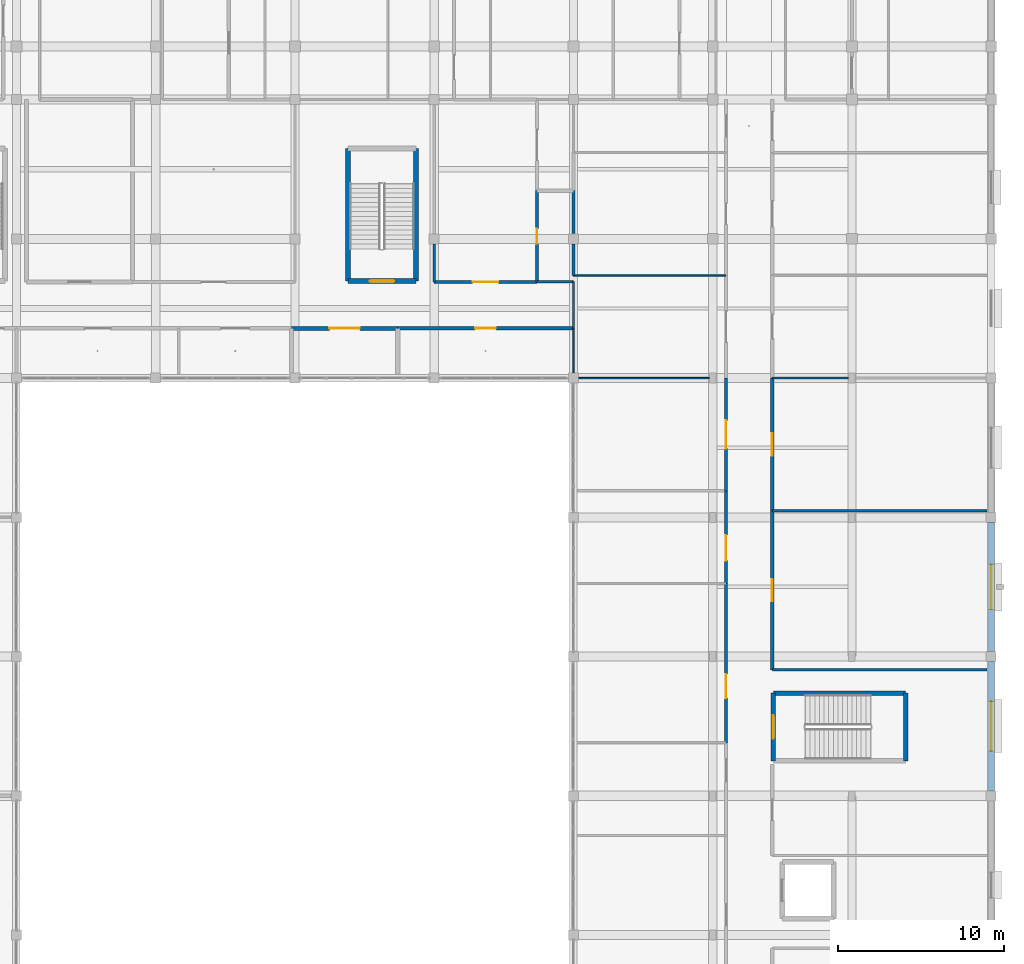
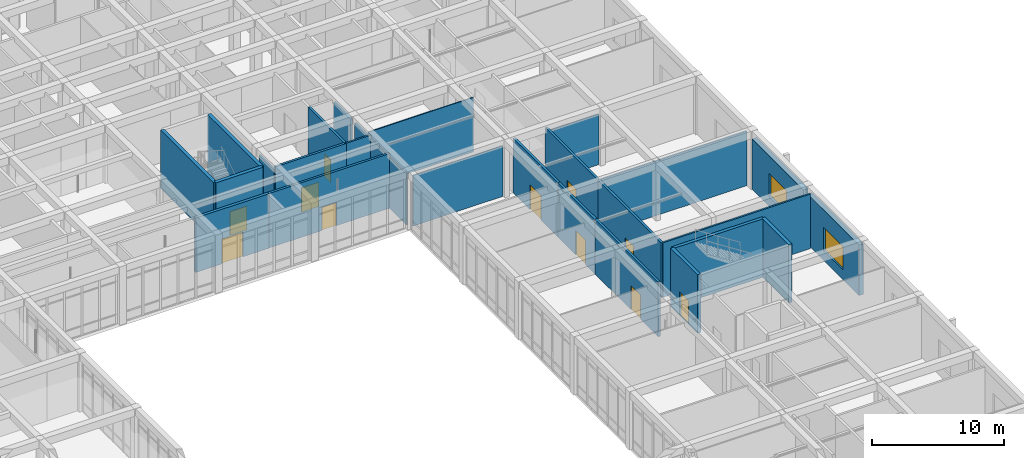
# One storey, part 92 of 157: 28 walls, 11 doors, 2 windows, 13 openings.
"""IFC4 building model written with IfcOpenShell, lengths in metres."""

from ifc_helpers import new_model, si_unit, direction, frame, frame_2d, origin, place, context, subcontext, project, spatial, rectangle, extrude, material, layer, layer_set, type_object, element, fill, save


model = new_model("IFC4")

# Units and contexts
model_context = context("Model", 3, precision=1e-05, world=origin(), true_north=direction((0.0, 1.0)))
body_context = subcontext(model_context, "Body", "Model", "MODEL_VIEW")
ifc_project = project(units=[si_unit("LENGTHUNIT", "METRE"), si_unit("AREAUNIT", "SQUARE_METRE"), si_unit("VOLUMEUNIT", "CUBIC_METRE"), si_unit("PLANEANGLEUNIT", "RADIAN"), si_unit("MASSUNIT", "GRAM", prefix="KILO")], contexts=[model_context])

# Site, building, storey
site_placement = place(None, origin())
site = spatial("IfcSite", under=ifc_project, at=site_placement, CompositionType="ELEMENT")
building_placement = place(site_placement, origin())
building = spatial("IfcBuilding", under=site, at=building_placement, Name="Varncliffe General Hospital", CompositionType="ELEMENT")
storey_placement = place(building_placement, frame((0.0, 0.0, 5.39990234375)))
storey = spatial("IfcBuildingStorey", under=building, at=storey_placement, Name="L01", CompositionType="ELEMENT", Elevation=5.39990234375)

# Wall, opening, window
ifc_material_1 = material(Name="Precast concrete C40/50 with insulated cream lime-cement stucco", Category="concrete")
ifc_layer_1 = layer(ifc_material_1, 0.3798828125)
ifc_layer_set_1 = layer_set([ifc_layer_1], Name="Precast concrete C40/50 with insulated cream lime-cement stucco")
wall_type_1 = type_object("IfcWallType", Name="Exterior Insulated Stucco Wall EW26 (380mm)", PredefinedType="SOLIDWALL", material=ifc_layer_set_1)
wall_1_placement = place(storey_placement, frame((176.39990234375, 65.701904296875, 0.0), z_axis=(0.0, 0.0, 1.0), x_axis=(0.0, -1.0, 0.0)))
wall_1 = element("IfcWall", 1, at=wall_1_placement, inside=storey, type_object=wall_type_1, Name="L01 Exterior Stucco Wall EW26-145", PredefinedType="SOLIDWALL", context=body_context, shape_type="SweptSolid", body=[
    extrude(rectangle(XDim=7.803955078125, YDim=0.3798828125, at=frame_2d((3.90185546875, 0.0))), origin(), (0.0, 0.0, 1.0), 4.68017578125),
])
opening_1_placement = place(wall_1_placement, frame((2.402099609375, 0.0, 0.89990234375)))
opening_1 = element("IfcOpeningElement", 2, at=opening_1_placement, cuts=wall_1, Name="Opening WN37", PredefinedType="OPENING", context=body_context, shape_type="SweptSolid", body=[
    extrude(rectangle(XDim=3.0, YDim=2.14990234375, at=frame_2d((1.5, 1.074951171875))), frame((0.0, 0.199951171875, 0.0), z_axis=(0.0, -1.0, 0.0), x_axis=(1.0, 0.0, 0.0)), (0.0, 0.0, 1.0), 0.39990234375),
])
ifc_material_2 = material(Name="Triple low-E argon insulated vision glazing", Category="glass")
window_type_1 = type_object("IfcWindowType", Name="Triple-Glazed Hospital Window WN37 (3000x2150)", PartitioningType="DOUBLE_PANEL_VERTICAL", PredefinedType="WINDOW", material=ifc_material_2)
window_1_placement = place(opening_1_placement, origin())
window_1 = element("IfcWindow", 3, at=window_1_placement, inside=storey, type_object=window_type_1, Name="L01 Hospital Window WN37-84", OverallHeight=2.14990234375, OverallWidth=3.0, PartitioningType="DOUBLE_PANEL_VERTICAL", PredefinedType="WINDOW", context=body_context, shape_type="SweptSolid", body=[
    extrude(rectangle(XDim=3.0, YDim=2.14990234375, at=frame_2d((1.5, 1.074951171875))), frame((0.0, 0.030029296875, 0.0), z_axis=(0.0, -1.0, 0.0), x_axis=(1.0, 0.0, 0.0)), (0.0, 0.0, 1.0), 0.06005859375),
])
fill(opening_1, window_1)

ifc_layer_2 = layer(ifc_material_1, 0.39990234375)
ifc_layer_set_2 = layer_set([ifc_layer_2], Name="Precast concrete C40/50 with insulated cream lime-cement stucco")
wall_type_2 = type_object("IfcWallType", Name="Exterior Insulated Stucco Wall EW47 (400mm)", PredefinedType="SOLIDWALL", material=ifc_layer_set_2)
wall_2_placement = place(storey_placement, frame((176.39990234375, 74.10205078125, 0.0), z_axis=(0.0, 0.0, 1.0), x_axis=(0.0, -1.0, 0.0)))
wall_2 = element("IfcWall", 4, at=wall_2_placement, inside=storey, type_object=wall_type_2, Name="L01 Exterior Stucco Wall EW47-144", PredefinedType="SOLIDWALL", context=body_context, shape_type="SweptSolid", body=[
    extrude(rectangle(XDim=7.803955078125, YDim=0.39990234375, at=frame_2d((3.90185546875, 0.0))), origin(), (0.0, 0.0, 1.0), 4.68017578125),
])
opening_2_placement = place(wall_2_placement, frame((2.552001953125, 0.0, 0.89990234375)))
opening_2 = element("IfcOpeningElement", 5, at=opening_2_placement, cuts=wall_2, Name="Opening WN58", PredefinedType="OPENING", context=body_context, shape_type="SweptSolid", body=[
    extrude(rectangle(XDim=2.699951171875, YDim=2.14990234375, at=frame_2d((1.35009765625, 1.074951171875))), frame((0.0, 0.2099609375, 0.0), z_axis=(0.0, -1.0, 0.0), x_axis=(1.0, 0.0, 0.0)), (0.0, 0.0, 1.0), 0.419921875),
])
window_type_2 = type_object("IfcWindowType", Name="Triple-Glazed Hospital Window WN58 (2700x2150)", PartitioningType="DOUBLE_PANEL_VERTICAL", PredefinedType="WINDOW", material=ifc_material_2)
window_2_placement = place(opening_2_placement, origin())
window_2 = element("IfcWindow", 6, at=window_2_placement, inside=storey, type_object=window_type_2, Name="L01 Hospital Window WN58-83", OverallHeight=2.14990234375, OverallWidth=2.699951171875, PartitioningType="DOUBLE_PANEL_VERTICAL", PredefinedType="WINDOW", context=body_context, shape_type="SweptSolid", body=[
    extrude(rectangle(XDim=2.699951171875, YDim=2.14990234375, at=frame_2d((1.35009765625, 1.074951171875))), frame((0.0, 0.030029296875, 0.0), z_axis=(0.0, -1.0, 0.0), x_axis=(1.0, 0.0, 0.0)), (0.0, 0.0, 1.0), 0.06005859375),
])
fill(opening_2, window_2)

# Walls
ifc_material_3 = material(Name="Acoustic clinical gypsum stud partition assembly", Category="gypsum")
ifc_layer_3 = layer(ifc_material_3, 0.1298828125)
ifc_layer_set_3 = layer_set([ifc_layer_3], Name="Acoustic clinical gypsum stud partition assembly")
wall_type_3 = type_object("IfcWallType", Name="Interior Partitioning IW11 (130mm)", PredefinedType="PARTITIONING", material=ifc_layer_set_3)
wall_3_placement = place(storey_placement, frame((163.199951171875, 74.800048828125, 0.0), z_axis=(0.0, 0.0, 1.0), x_axis=(1.0, 0.0, 0.0)))
element("IfcWall", 7, at=wall_3_placement, inside=storey, type_object=wall_type_3, Name="L01 Interior Partition Wall IW11-498", PredefinedType="PARTITIONING", context=body_context, shape_type="SweptSolid", body=[
    extrude(rectangle(XDim=12.93994140625, YDim=0.1298828125, at=frame_2d((6.469970703125, 0.0))), origin(), (0.0, 0.0, 1.0), 5.050048828125),
])
ifc_layer_4 = layer(ifc_material_3, 0.169921875)
ifc_layer_set_4 = layer_set([ifc_layer_4], Name="Acoustic clinical gypsum stud partition assembly")
wall_type_4 = type_object("IfcWallType", Name="Interior Partitioning IW20 (170mm)", PredefinedType="PARTITIONING", material=ifc_layer_set_4)
wall_4_placement = place(storey_placement, frame((142.800048828125, 88.60009765625, 0.0), z_axis=(0.0, 0.0, 1.0), x_axis=(0.0, 1.0, 0.0)))
element("IfcWall", 8, at=wall_4_placement, inside=storey, type_object=wall_type_4, Name="L01 Interior Partition Wall IW20-831", PredefinedType="PARTITIONING", context=body_context, shape_type="SweptSolid", body=[
    extrude(rectangle(XDim=2.284912109375, YDim=0.169921875, at=frame_2d((1.142578125, 0.0))), origin(), (0.0, 0.0, 1.0), 4.735107421875),
])
ifc_layer_5 = layer(ifc_material_3, 0.14990234375)
ifc_layer_set_5 = layer_set([ifc_layer_5], Name="Acoustic clinical gypsum stud partition assembly")
wall_type_5 = type_object("IfcWallType", Name="Interior Partitioning IW35 (150mm)", PredefinedType="PARTITIONING", material=ifc_layer_set_5)
wall_5_placement = place(storey_placement, frame((163.199951171875, 65.199951171875, 0.0), z_axis=(0.0, 0.0, 1.0), x_axis=(1.0, 0.0, 0.0)))
element("IfcWall", 9, at=wall_5_placement, inside=storey, type_object=wall_type_5, Name="L01 Interior Partition Wall IW35-479", PredefinedType="PARTITIONING", context=body_context, shape_type="SweptSolid", body=[
    extrude(rectangle(XDim=12.93994140625, YDim=0.14990234375, at=frame_2d((6.469970703125, 0.0))), origin(), (0.0, 0.0, 1.0), 5.050048828125),
])
ifc_layer_6 = layer(ifc_material_3, 0.090087890625)
ifc_layer_set_6 = layer_set([ifc_layer_6], Name="Acoustic clinical gypsum stud partition assembly")
wall_type_6 = type_object("IfcWallType", Name="Interior Partitioning IW42 (90mm)", PredefinedType="PARTITIONING", material=ifc_layer_set_6)
wall_6_placement = place(storey_placement, frame((151.514892578125, 82.800048828125, 0.0), z_axis=(0.0, 0.0, 1.0), x_axis=(1.0, 0.0, 0.0)))
element("IfcWall", 10, at=wall_6_placement, inside=storey, type_object=wall_type_6, Name="L01 Interior Partition Wall IW42-506", PredefinedType="PARTITIONING", context=body_context, shape_type="SweptSolid", body=[
    extrude(rectangle(XDim=7.8701171875, YDim=0.090087890625, at=frame_2d((3.93505859375, 0.0))), origin(), (0.0, 0.0, 1.0), 4.68505859375),
])
wall_7_placement = place(storey_placement, frame((151.199951171875, 89.0, 0.0), z_axis=(0.0, 0.0, 1.0), x_axis=(1.0, 0.0, 0.0)))
element("IfcWall", 11, at=wall_7_placement, inside=storey, type_object=wall_type_6, Name="L01 Interior Partition Wall IW42-541", PredefinedType="PARTITIONING", context=body_context, shape_type="SweptSolid", body=[
    extrude(rectangle(XDim=9.199951171875, YDim=0.090087890625, at=frame_2d((4.60009765625, 0.0))), origin(), (0.0, 0.0, 1.0), 5.050048828125),
])
wall_8_placement = place(storey_placement, frame((151.199951171875, 83.114990234375, 0.0), z_axis=(0.0, 0.0, 1.0), x_axis=(0.0, 1.0, 0.0)))
element("IfcWall", 12, at=wall_8_placement, inside=storey, type_object=wall_type_6, Name="L01 Interior Partition Wall IW42-846", PredefinedType="PARTITIONING", context=body_context, shape_type="SweptSolid", body=[
    extrude(rectangle(XDim=2.68505859375, YDim=0.090087890625, at=frame_2d((1.342529296875, 0.0))), origin(), (0.0, 0.0, 1.0), 4.735107421875),
])
ifc_layer_7 = layer(ifc_material_3, 0.110107421875)
ifc_layer_set_7 = layer_set([ifc_layer_7], Name="Acoustic clinical gypsum stud partition assembly")
wall_type_7 = type_object("IfcWallType", Name="Interior Partitioning IW65 (110mm)", PredefinedType="PARTITIONING", material=ifc_layer_set_7)
wall_9_placement = place(storey_placement, frame((163.199951171875, 82.800048828125, 0.0), z_axis=(0.0, 0.0, 1.0), x_axis=(1.0, 0.0, 0.0)))
element("IfcWall", 13, at=wall_9_placement, inside=storey, type_object=wall_type_7, Name="L01 Interior Partition Wall IW65-508", PredefinedType="PARTITIONING", context=body_context, shape_type="SweptSolid", body=[
    extrude(rectangle(XDim=4.5849609375, YDim=0.110107421875, at=frame_2d((2.29248046875, 0.0))), origin(), (0.0, 0.0, 1.0), 4.68505859375),
])
wall_10_placement = place(storey_placement, frame((151.199951171875, 85.800048828125, 0.0), z_axis=(0.0, 0.0, 1.0), x_axis=(0.0, 1.0, 0.0)))
element("IfcWall", 14, at=wall_10_placement, inside=storey, type_object=wall_type_7, Name="L01 Interior Partition Wall IW65-847", PredefinedType="PARTITIONING", context=body_context, shape_type="SweptSolid", body=[
    extrude(rectangle(XDim=2.800048828125, YDim=0.110107421875, at=frame_2d((1.39990234375, 0.0))), origin(), (0.0, 0.0, 1.0), 4.735107421875),
])

# Wall, opening, door
ifc_material_4 = material(Name="Fire-rated gypsum and mineral-wool partition assembly", Category="gypsum")
ifc_layer_8 = layer(ifc_material_4, 0.25)
ifc_layer_set_8 = layer_set([ifc_layer_8], Name="Fire-rated gypsum and mineral-wool partition assembly")
wall_type_8 = type_object("IfcWallType", Name="Interior Partitioning PW38 (250mm)", PredefinedType="PARTITIONING", material=ifc_layer_set_8)
wall_11_placement = place(storey_placement, frame((134.199951171875, 85.800048828125, 0.0), z_axis=(0.0, 0.0, 1.0), x_axis=(1.0, 0.0, 0.0)))
wall_11 = element("IfcWall", 15, at=wall_11_placement, inside=storey, type_object=wall_type_8, Name="L01 Interior Partition Wall PW38-525", PredefinedType="PARTITIONING", context=body_context, shape_type="SweptSolid", body=[
    extrude(rectangle(XDim=6.400146484375, YDim=0.25, at=frame_2d((3.2001953125, 0.0))), origin(), (0.0, 0.0, 1.0), 5.050048828125),
])
opening_3_placement = place(wall_11_placement, frame((2.27490234375, 0.0, 0.0)))
opening_3 = element("IfcOpeningElement", 16, at=opening_3_placement, cuts=wall_11, Name="Opening DC38", PredefinedType="OPENING", context=body_context, shape_type="SweptSolid", body=[
    extrude(rectangle(XDim=1.85009765625, YDim=2.300048828125, at=frame_2d((0.925048828125, 1.14990234375))), frame((0.0, 0.135009765625, 0.0), z_axis=(0.0, -1.0, 0.0), x_axis=(1.0, 0.0, 0.0)), (0.0, 0.0, 1.0), 0.27001953125),
])
ifc_material_5 = material(Name="Fire-rated hospital steel-frame vision-panel door", Category="steel")
door_type_1 = type_object("IfcDoorType", Name="Interior Hospital Door DC38 (1850x2300)", OperationType="NOTDEFINED", PredefinedType="DOOR", material=ifc_material_5)
door_1_placement = place(opening_3_placement, frame((1.85009765625, 0.0, 0.0), z_axis=(0.0, 0.0, 1.0), x_axis=(-1.0, 0.0, 0.0)))
door_1 = element("IfcDoor", 17, at=door_1_placement, inside=storey, type_object=door_type_1, Name="L01 Pharmacy Cold-Chain Stockroom 91 Door", OperationType="SINGLE_SWING_LEFT", OverallHeight=2.300048828125, OverallWidth=1.85009765625, PredefinedType="DOOR", context=body_context, shape_type="SweptSolid", body=[
    extrude(rectangle(XDim=1.85009765625, YDim=2.300048828125, at=frame_2d((0.925048828125, 1.14990234375))), frame((0.0, 0.02490234375, 0.0), z_axis=(0.0, -1.0, 0.0), x_axis=(1.0, 0.0, 0.0)), (0.0, 0.0, 1.0), 0.050048828125),
])
fill(opening_3, door_1)

ifc_layer_9 = layer(ifc_material_4, 0.199951171875)
ifc_layer_set_9 = layer_set([ifc_layer_9], Name="Fire-rated gypsum and mineral-wool partition assembly")
wall_type_9 = type_object("IfcWallType", Name="Interior Partitioning PW63 (200mm)", PredefinedType="PARTITIONING", material=ifc_layer_set_9)
wall_12_placement = place(storey_placement, frame((140.60009765625, 85.800048828125, 0.0), z_axis=(0.0, 0.0, 1.0), x_axis=(1.0, 0.0, 0.0)))
wall_12 = element("IfcWall", 18, at=wall_12_placement, inside=storey, type_object=wall_type_9, Name="L01 Interior Partition Wall PW63-526", PredefinedType="PARTITIONING", context=body_context, shape_type="SweptSolid", body=[
    extrude(rectangle(XDim=10.599853515625, YDim=0.199951171875, at=frame_2d((5.2998046875, 0.0))), origin(), (0.0, 0.0, 1.0), 5.050048828125),
])
opening_4_placement = place(wall_12_placement, frame((4.675048828125, 0.0, 0.0)))
opening_4 = element("IfcOpeningElement", 19, at=opening_4_placement, cuts=wall_12, Name="Opening DC44", PredefinedType="OPENING", context=body_context, shape_type="SweptSolid", body=[
    extrude(rectangle(XDim=1.25, YDim=2.14990234375, at=frame_2d((0.625, 1.074951171875))), frame((0.0, 0.10986328125, 0.0), z_axis=(0.0, -1.0, 0.0), x_axis=(1.0, 0.0, 0.0)), (0.0, 0.0, 1.0), 0.219970703125),
])
door_type_2 = type_object("IfcDoorType", Name="Interior Hospital Door DC44 (1250x2150)", OperationType="NOTDEFINED", PredefinedType="DOOR", material=ifc_material_5)
door_2_placement = place(opening_4_placement, frame((1.25, 0.0, 0.0), z_axis=(0.0, 0.0, 1.0), x_axis=(-1.0, 0.0, 0.0)))
door_2 = element("IfcDoor", 20, at=door_2_placement, inside=storey, type_object=door_type_2, Name="L01 Inpatient Hospital Pharmacy Cleanroom 92 Door", OperationType="SINGLE_SWING_RIGHT", OverallHeight=2.14990234375, OverallWidth=1.25, PredefinedType="DOOR", context=body_context, shape_type="SweptSolid", body=[
    extrude(rectangle(XDim=1.25, YDim=2.14990234375, at=frame_2d((0.625, 1.074951171875))), frame((0.0, 0.02490234375, 0.0), z_axis=(0.0, -1.0, 0.0), x_axis=(1.0, 0.0, 0.0)), (0.0, 0.0, 1.0), 0.050048828125),
])
fill(opening_4, door_2)

wall_13_placement = place(storey_placement, frame((142.800048828125, 88.60009765625, 0.0), z_axis=(0.0, 0.0, 1.0), x_axis=(1.0, 0.0, 0.0)))
wall_13 = element("IfcWall", 21, at=wall_13_placement, inside=storey, type_object=wall_type_9, Name="L01 Interior Partition Wall PW63-538", PredefinedType="PARTITIONING", context=body_context, shape_type="SweptSolid", body=[
    extrude(rectangle(XDim=6.199951171875, YDim=0.199951171875, at=frame_2d((3.10009765625, 0.0))), origin(), (0.0, 0.0, 1.0), 5.050048828125),
])
opening_5_placement = place(wall_13_placement, frame((2.324951171875, 0.0, 0.0)))
opening_5 = element("IfcOpeningElement", 22, at=opening_5_placement, cuts=wall_13, Name="Opening DC67", PredefinedType="OPENING", context=body_context, shape_type="SweptSolid", body=[
    extrude(rectangle(XDim=1.550048828125, YDim=2.25, at=frame_2d((0.77490234375, 1.125))), frame((0.0, 0.10986328125, 0.0), z_axis=(0.0, -1.0, 0.0), x_axis=(1.0, 0.0, 0.0)), (0.0, 0.0, 1.0), 0.219970703125),
])
door_type_3 = type_object("IfcDoorType", Name="Interior Hospital Door DC67 (1550x2250)", OperationType="NOTDEFINED", PredefinedType="DOOR", material=ifc_material_5)
door_3_placement = place(opening_5_placement, origin())
door_3 = element("IfcDoor", 23, at=door_3_placement, inside=storey, type_object=door_type_3, Name="L01 Pre-Operative Patient Admission Bay 101 Door", OperationType="SINGLE_SWING_LEFT", OverallHeight=2.25, OverallWidth=1.550048828125, PredefinedType="DOOR", context=body_context, shape_type="SweptSolid", body=[
    extrude(rectangle(XDim=1.550048828125, YDim=2.25, at=frame_2d((0.77490234375, 1.125))), frame((0.0, 0.02490234375, 0.0), z_axis=(0.0, -1.0, 0.0), x_axis=(1.0, 0.0, 0.0)), (0.0, 0.0, 1.0), 0.050048828125),
])
fill(opening_5, door_3)

wall_14_placement = place(storey_placement, frame((149.0, 88.60009765625, 0.0), z_axis=(0.0, 0.0, 1.0), x_axis=(0.0, 1.0, 0.0)))
wall_14 = element("IfcWall", 24, at=wall_14_placement, inside=storey, type_object=wall_type_9, Name="L01 Interior Partition Wall PW63-839", PredefinedType="PARTITIONING", context=body_context, shape_type="SweptSolid", body=[
    extrude(rectangle(XDim=5.5, YDim=0.199951171875, at=frame_2d((2.75, 0.0))), origin(), (0.0, 0.0, 1.0), 5.050048828125),
])
opening_6_placement = place(wall_14_placement, frame((2.2900390625, 0.0, 0.0)))
opening_6 = element("IfcOpeningElement", 25, at=opening_6_placement, cuts=wall_14, Name="Opening DI70", PredefinedType="OPENING", context=body_context, shape_type="SweptSolid", body=[
    extrude(rectangle(XDim=0.919921875, YDim=2.10009765625, at=frame_2d((0.4599609375, 1.050048828125))), frame((0.0, 0.10986328125, 0.0), z_axis=(0.0, -1.0, 0.0), x_axis=(1.0, 0.0, 0.0)), (0.0, 0.0, 1.0), 0.219970703125),
])
ifc_material_6 = material(Name="Solid-core antimicrobial hospital oak veneer door", Category="wood")
door_type_4 = type_object("IfcDoorType", Name="Interior Hospital Door DI70 (920x2100)", OperationType="NOTDEFINED", PredefinedType="DOOR", material=ifc_material_6)
door_4_placement = place(opening_6_placement, frame((0.919921875, 0.0, 0.0), z_axis=(0.0, 0.0, 1.0), x_axis=(-1.0, 0.0, 0.0)))
door_4 = element("IfcDoor", 26, at=door_4_placement, inside=storey, type_object=door_type_4, Name="L01 En-Suite Bathroom 102 Door", OperationType="SINGLE_SWING_RIGHT", OverallHeight=2.10009765625, OverallWidth=0.919921875, PredefinedType="DOOR", context=body_context, shape_type="SweptSolid", body=[
    extrude(rectangle(XDim=0.919921875, YDim=2.10009765625, at=frame_2d((0.4599609375, 1.050048828125))), frame((0.0, 0.02490234375, 0.0), z_axis=(0.0, -1.0, 0.0), x_axis=(1.0, 0.0, 0.0)), (0.0, 0.0, 1.0), 0.050048828125),
])
fill(opening_6, door_4)

wall_15_placement = place(storey_placement, frame((160.39990234375, 60.800048828125, 0.0), z_axis=(0.0, 0.0, 1.0), x_axis=(0.0, 1.0, 0.0)))
wall_15 = element("IfcWall", 27, at=wall_15_placement, inside=storey, type_object=wall_type_9, Name="L01 Interior Partition Wall PW63-869", PredefinedType="PARTITIONING", context=body_context, shape_type="SweptSolid", body=[
    extrude(rectangle(XDim=9.599853515625, YDim=0.199951171875, at=frame_2d((4.7998046875, 0.0))), origin(), (0.0, 0.0, 1.0), 5.050048828125),
])
opening_7_placement = place(wall_15_placement, frame((2.6943359375, 0.0, 0.0)))
opening_7 = element("IfcOpeningElement", 28, at=opening_7_placement, cuts=wall_15, Name="Opening DC66", PredefinedType="OPENING", context=body_context, shape_type="SweptSolid", body=[
    extrude(rectangle(XDim=1.449951171875, YDim=2.25, at=frame_2d((0.72509765625, 1.125))), frame((0.0, 0.10986328125, 0.0), z_axis=(0.0, -1.0, 0.0), x_axis=(1.0, 0.0, 0.0)), (0.0, 0.0, 1.0), 0.219970703125),
])
door_type_5 = type_object("IfcDoorType", Name="Interior Hospital Door DC66 (1450x2250)", OperationType="NOTDEFINED", PredefinedType="DOOR", material=ifc_material_5)
door_5_placement = place(opening_7_placement, origin())
door_5 = element("IfcDoor", 29, at=door_5_placement, inside=storey, type_object=door_type_5, Name="L01 Hydrotherapy and Occupational Rehab Suite 112 Door", OperationType="SINGLE_SWING_RIGHT", OverallHeight=2.25, OverallWidth=1.449951171875, PredefinedType="DOOR", context=body_context, shape_type="SweptSolid", body=[
    extrude(rectangle(XDim=1.449951171875, YDim=2.25, at=frame_2d((0.72509765625, 1.125))), frame((0.0, 0.02490234375, 0.0), z_axis=(0.0, -1.0, 0.0), x_axis=(1.0, 0.0, 0.0)), (0.0, 0.0, 1.0), 0.050048828125),
])
fill(opening_7, door_5)

wall_16_placement = place(storey_placement, frame((160.39990234375, 70.39990234375, 0.0), z_axis=(0.0, 0.0, 1.0), x_axis=(0.0, 1.0, 0.0)))
wall_16 = element("IfcWall", 30, at=wall_16_placement, inside=storey, type_object=wall_type_9, Name="L01 Interior Partition Wall PW63-870", PredefinedType="PARTITIONING", context=body_context, shape_type="SweptSolid", body=[
    extrude(rectangle(XDim=5.60009765625, YDim=0.199951171875, at=frame_2d((2.800048828125, 0.0))), origin(), (0.0, 0.0, 1.0), 5.050048828125),
])
opening_8_placement = place(wall_16_placement, frame((1.38232421875, 0.0, 0.0)))
opening_8 = element("IfcOpeningElement", 31, at=opening_8_placement, cuts=wall_16, Name="Opening DC67", PredefinedType="OPENING", context=body_context, shape_type="SweptSolid", body=[
    extrude(rectangle(XDim=1.550048828125, YDim=2.25, at=frame_2d((0.77490234375, 1.125))), frame((0.0, 0.10986328125, 0.0), z_axis=(0.0, -1.0, 0.0), x_axis=(1.0, 0.0, 0.0)), (0.0, 0.0, 1.0), 0.219970703125),
])
door_6_placement = place(opening_8_placement, origin())
door_6 = element("IfcDoor", 32, at=door_6_placement, inside=storey, type_object=door_type_3, Name="L01 Specialist ENT and Ophthalmology Clinic 113 Door", OperationType="SINGLE_SWING_LEFT", OverallHeight=2.25, OverallWidth=1.550048828125, PredefinedType="DOOR", context=body_context, shape_type="SweptSolid", body=[
    extrude(rectangle(XDim=1.550048828125, YDim=2.25, at=frame_2d((0.77490234375, 1.125))), frame((0.0, 0.02490234375, 0.0), z_axis=(0.0, -1.0, 0.0), x_axis=(1.0, 0.0, 0.0)), (0.0, 0.0, 1.0), 0.050048828125),
])
fill(opening_8, door_6)

wall_17_placement = place(storey_placement, frame((160.39990234375, 76.0, 0.0), z_axis=(0.0, 0.0, 1.0), x_axis=(0.0, 1.0, 0.0)))
wall_17 = element("IfcWall", 33, at=wall_17_placement, inside=storey, type_object=wall_type_9, Name="L01 Interior Partition Wall PW63-871", PredefinedType="PARTITIONING", context=body_context, shape_type="SweptSolid", body=[
    extrude(rectangle(XDim=6.800048828125, YDim=0.199951171875, at=frame_2d((3.39990234375, 0.0))), origin(), (0.0, 0.0, 1.0), 5.050048828125),
])
opening_9_placement = place(wall_17_placement, frame((2.550048828125, 0.0, 0.0)))
opening_9 = element("IfcOpeningElement", 34, at=opening_9_placement, cuts=wall_17, Name="Opening DC50", PredefinedType="OPENING", context=body_context, shape_type="SweptSolid", body=[
    extrude(rectangle(XDim=1.699951171875, YDim=2.300048828125, at=frame_2d((0.85009765625, 1.14990234375))), frame((0.0, 0.10986328125, 0.0), z_axis=(0.0, -1.0, 0.0), x_axis=(1.0, 0.0, 0.0)), (0.0, 0.0, 1.0), 0.219970703125),
])
door_type_6 = type_object("IfcDoorType", Name="Interior Hospital Door DC50 (1700x2300)", OperationType="NOTDEFINED", PredefinedType="DOOR", material=ifc_material_5)
door_7_placement = place(opening_9_placement, origin())
door_7 = element("IfcDoor", 35, at=door_7_placement, inside=storey, type_object=door_type_6, Name="L01 Hydrotherapy and Occupational Rehab Suite 114 Door", OperationType="SINGLE_SWING_RIGHT", OverallHeight=2.300048828125, OverallWidth=1.699951171875, PredefinedType="DOOR", context=body_context, shape_type="SweptSolid", body=[
    extrude(rectangle(XDim=1.699951171875, YDim=2.300048828125, at=frame_2d((0.85009765625, 1.14990234375))), frame((0.0, 0.02490234375, 0.0), z_axis=(0.0, -1.0, 0.0), x_axis=(1.0, 0.0, 0.0)), (0.0, 0.0, 1.0), 0.050048828125),
])
fill(opening_9, door_7)

wall_18_placement = place(storey_placement, frame((163.199951171875, 65.199951171875, 0.0), z_axis=(0.0, 0.0, 1.0), x_axis=(0.0, 1.0, 0.0)))
wall_18 = element("IfcWall", 36, at=wall_18_placement, inside=storey, type_object=wall_type_9, Name="L01 Interior Partition Wall PW63-881", PredefinedType="PARTITIONING", context=body_context, shape_type="SweptSolid", body=[
    extrude(rectangle(XDim=9.60009765625, YDim=0.199951171875, at=frame_2d((4.800048828125, 0.0))), origin(), (0.0, 0.0, 1.0), 5.050048828125),
])
opening_10_placement = place(wall_18_placement, frame((4.14990234375, 0.0, 0.0)))
opening_10 = element("IfcOpeningElement", 37, at=opening_10_placement, cuts=wall_18, Name="Opening DC88", PredefinedType="OPENING", context=body_context, shape_type="SweptSolid", body=[
    extrude(rectangle(XDim=1.300048828125, YDim=2.199951171875, at=frame_2d((0.64990234375, 1.10009765625))), frame((0.0, 0.10986328125, 0.0), z_axis=(0.0, -1.0, 0.0), x_axis=(1.0, 0.0, 0.0)), (0.0, 0.0, 1.0), 0.219970703125),
])
door_type_7 = type_object("IfcDoorType", Name="Interior Hospital Door DC88 (1300x2200)", OperationType="NOTDEFINED", PredefinedType="DOOR", material=ifc_material_5)
door_8_placement = place(opening_10_placement, frame((1.300048828125, 0.0, 0.0), z_axis=(0.0, 0.0, 1.0), x_axis=(-1.0, 0.0, 0.0)))
door_8 = element("IfcDoor", 38, at=door_8_placement, inside=storey, type_object=door_type_7, Name="L01 Hydrotherapy and Occupational Rehab Suite 121 Door", OperationType="SINGLE_SWING_RIGHT", OverallHeight=2.199951171875, OverallWidth=1.300048828125, PredefinedType="DOOR", context=body_context, shape_type="SweptSolid", body=[
    extrude(rectangle(XDim=1.300048828125, YDim=2.199951171875, at=frame_2d((0.64990234375, 1.10009765625))), frame((0.0, 0.02490234375, 0.0), z_axis=(0.0, -1.0, 0.0), x_axis=(1.0, 0.0, 0.0)), (0.0, 0.0, 1.0), 0.050048828125),
])
fill(opening_10, door_8)

wall_19_placement = place(storey_placement, frame((163.199951171875, 74.800048828125, 0.0), z_axis=(0.0, 0.0, 1.0), x_axis=(0.0, 1.0, 0.0)))
wall_19 = element("IfcWall", 39, at=wall_19_placement, inside=storey, type_object=wall_type_9, Name="L01 Interior Partition Wall PW63-882", PredefinedType="PARTITIONING", context=body_context, shape_type="SweptSolid", body=[
    extrude(rectangle(XDim=8.0, YDim=0.199951171875, at=frame_2d((4.0, 0.0))), origin(), (0.0, 0.0, 1.0), 5.050048828125),
])
opening_11_placement = place(wall_19_placement, frame((3.324951171875, 0.0, 0.0)))
opening_11 = element("IfcOpeningElement", 40, at=opening_11_placement, cuts=wall_19, Name="Opening DC85", PredefinedType="OPENING", context=body_context, shape_type="SweptSolid", body=[
    extrude(rectangle(XDim=1.35009765625, YDim=2.199951171875, at=frame_2d((0.675048828125, 1.10009765625))), frame((0.0, 0.10986328125, 0.0), z_axis=(0.0, -1.0, 0.0), x_axis=(1.0, 0.0, 0.0)), (0.0, 0.0, 1.0), 0.219970703125),
])
door_type_8 = type_object("IfcDoorType", Name="Interior Hospital Door DC85 (1350x2200)", OperationType="NOTDEFINED", PredefinedType="DOOR", material=ifc_material_5)
door_9_placement = place(opening_11_placement, frame((1.35009765625, 0.0, 0.0), z_axis=(0.0, 0.0, 1.0), x_axis=(-1.0, 0.0, 0.0)))
door_9 = element("IfcDoor", 41, at=door_9_placement, inside=storey, type_object=door_type_8, Name="L01 Specialist ENT and Ophthalmology Clinic 122 Door", OperationType="SINGLE_SWING_LEFT", OverallHeight=2.199951171875, OverallWidth=1.35009765625, PredefinedType="DOOR", context=body_context, shape_type="SweptSolid", body=[
    extrude(rectangle(XDim=1.35009765625, YDim=2.199951171875, at=frame_2d((0.675048828125, 1.10009765625))), frame((0.0, 0.02490234375, 0.0), z_axis=(0.0, -1.0, 0.0), x_axis=(1.0, 0.0, 0.0)), (0.0, 0.0, 1.0), 0.050048828125),
])
fill(opening_11, door_9)

# Walls
ifc_material_7 = material(Name="Moisture-resistant plumbing chase wall assembly", Category="gypsum")
ifc_layer_10 = layer(ifc_material_7, 0.18994140625)
ifc_layer_set_10 = layer_set([ifc_layer_10], Name="Moisture-resistant plumbing chase wall assembly")
wall_type_10 = type_object("IfcWallType", Name="Interior Plumbingwall MW17 (190mm)", PredefinedType="PLUMBINGWALL", material=ifc_layer_set_10)
wall_20_placement = place(storey_placement, frame((151.199951171875, 91.514892578125, 0.0), z_axis=(0.0, 0.0, 1.0), x_axis=(0.0, 1.0, 0.0)))
element("IfcWall", 42, at=wall_20_placement, inside=storey, type_object=wall_type_10, Name="L01 Interior Plumbing Wall MW17-848", PredefinedType="PLUMBINGWALL", context=body_context, shape_type="SweptSolid", body=[
    extrude(rectangle(XDim=2.585205078125, YDim=0.18994140625, at=frame_2d((1.29248046875, 0.0))), origin(), (0.0, 0.0, 1.0), 4.735107421875),
])
wall_21_placement = place(storey_placement, frame((151.199951171875, 89.0, 0.0), z_axis=(0.0, 0.0, 1.0), x_axis=(0.0, 1.0, 0.0)))
element("IfcWall", 43, at=wall_21_placement, inside=storey, type_object=wall_type_10, Name="L01 Interior Plumbing Wall MW17-849", PredefinedType="PLUMBINGWALL", context=body_context, shape_type="SweptSolid", body=[
    extrude(rectangle(XDim=1.885009765625, YDim=0.18994140625, at=frame_2d((0.9423828125, 0.0))), origin(), (0.0, 0.0, 1.0), 4.735107421875),
])
ifc_layer_11 = layer(ifc_material_7, 0.159912109375)
ifc_layer_set_11 = layer_set([ifc_layer_11], Name="Moisture-resistant plumbing chase wall assembly")
wall_type_11 = type_object("IfcWallType", Name="Interior Plumbingwall MW31 (160mm)", PredefinedType="PLUMBINGWALL", material=ifc_layer_set_11)
wall_22_placement = place(storey_placement, frame((149.0, 88.60009765625, 0.0), z_axis=(0.0, 0.0, 1.0), x_axis=(1.0, 0.0, 0.0)))
element("IfcWall", 44, at=wall_22_placement, inside=storey, type_object=wall_type_11, Name="L01 Interior Plumbing Wall MW31-539", PredefinedType="PLUMBINGWALL", context=body_context, shape_type="SweptSolid", body=[
    extrude(rectangle(XDim=2.199951171875, YDim=0.159912109375, at=frame_2d((1.10009765625, 0.0))), origin(), (0.0, 0.0, 1.0), 5.050048828125),
])
ifc_material_8 = material(Name="Concrete C40/50 (CSA A23.1 40 MPa)", Category="concrete")
ifc_layer_12 = layer(ifc_material_8, 0.300048828125)
ifc_layer_set_12 = layer_set([ifc_layer_12], Name="Concrete C40/50 (CSA A23.1 40 MPa)")
wall_type_12 = type_object("IfcWallType", Name="Reinforced Concrete Core Shear Wall CW12 (300mm)", PredefinedType="SHEAR", material=ifc_layer_set_12)
for number, where, z_axis, x_axis, name in (
    (45, (141.699951171875, 88.64990234375, 0.0), (0.0, 0.0, 1.0), (0.0, 1.0, 0.0), "L01 ST14 Core Shear Wall L"),
    (46, (137.60009765625, 96.64990234375, 0.0), (0.0, 0.0, 1.0), (0.0, -1.0, 0.0), "L01 ST14 Core Shear Wall R"),
):
    element("IfcWall", number, at=place(storey_placement, frame(where, z_axis=z_axis, x_axis=x_axis)), inside=storey, type_object=wall_type_12, Name=name, PredefinedType="SHEAR", context=body_context, shape_type="SweptSolid", body=[
        extrude(rectangle(XDim=8.0, YDim=0.300048828125, at=frame_2d((4.0, 0.0))), origin(), (0.0, 0.0, 1.0), 5.400146484375),
    ])

# Wall, opening, door
wall_23_placement = place(storey_placement, frame((137.60009765625, 88.64990234375, 0.0), z_axis=(0.0, 0.0, 1.0), x_axis=(1.0, 0.0, 0.0)))
wall_23 = element("IfcWall", 47, at=wall_23_placement, inside=storey, type_object=wall_type_12, Name="L01 ST14 Core Shear Wall N", PredefinedType="SHEAR", context=body_context, shape_type="SweptSolid", body=[
    extrude(rectangle(XDim=4.099853515625, YDim=0.300048828125, at=frame_2d((2.0498046875, 0.0))), origin(), (0.0, 0.0, 1.0), 5.400146484375),
])
opening_12_placement = place(wall_23_placement, frame((1.300048828125, 0.0, 0.0)))
opening_12 = element("IfcOpeningElement", 48, at=opening_12_placement, cuts=wall_23, Name="Opening DF28", PredefinedType="OPENING", context=body_context, shape_type="SweptSolid", body=[
    extrude(rectangle(XDim=1.5, YDim=2.199951171875, at=frame_2d((0.75, 1.10009765625))), frame((0.0, 0.16015625, 0.0), z_axis=(0.0, -1.0, 0.0), x_axis=(1.0, 0.0, 0.0)), (0.0, 0.0, 1.0), 0.320068359375),
])
door_type_9 = type_object("IfcDoorType", Name="Interior Hospital Door DF28 (1500x2200)", OperationType="NOTDEFINED", PredefinedType="DOOR", material=ifc_material_5)
door_10_placement = place(opening_12_placement, frame((1.5, 0.0, 0.0), z_axis=(0.0, 0.0, 1.0), x_axis=(-1.0, 0.0, 0.0)))
door_10 = element("IfcDoor", 49, at=door_10_placement, inside=storey, type_object=door_type_9, Name="L01 ST14 Protected Exit Stair Door", OperationType="SINGLE_SWING_RIGHT", OverallHeight=2.199951171875, OverallWidth=1.5, PredefinedType="DOOR", context=body_context, shape_type="SweptSolid", body=[
    extrude(rectangle(XDim=1.5, YDim=2.199951171875, at=frame_2d((0.75, 1.10009765625))), frame((0.0, 0.02490234375, 0.0), z_axis=(0.0, -1.0, 0.0), x_axis=(1.0, 0.0, 0.0)), (0.0, 0.0, 1.0), 0.050048828125),
])
fill(opening_12, door_10)

# Walls
ifc_layer_13 = layer(ifc_material_8, 0.280029296875)
ifc_layer_set_13 = layer_set([ifc_layer_13], Name="Concrete C40/50 (CSA A23.1 40 MPa)")
wall_type_13 = type_object("IfcWallType", Name="Reinforced Concrete Core Shear Wall CW13 (280mm)", PredefinedType="SHEAR", material=ifc_layer_set_13)
wall_24_placement = place(storey_placement, frame((171.239990234375, 59.7099609375, 0.0), z_axis=(0.0, 0.0, 1.0), x_axis=(0.0, 1.0, 0.0)))
element("IfcWall", 50, at=wall_24_placement, inside=storey, type_object=wall_type_13, Name="L01 ST07 Core Shear Wall F", PredefinedType="SHEAR", context=body_context, shape_type="SweptSolid", body=[
    extrude(rectangle(XDim=4.080078125, YDim=0.280029296875, at=frame_2d((2.0400390625, 0.0))), origin(), (0.0, 0.0, 1.0), 5.400146484375),
])
wall_25_placement = place(storey_placement, frame((171.239990234375, 63.7900390625, 0.0), z_axis=(0.0, 0.0, 1.0), x_axis=(-1.0, 0.0, 0.0)))
element("IfcWall", 51, at=wall_25_placement, inside=storey, type_object=wall_type_13, Name="L01 ST07 Core Shear Wall R", PredefinedType="SHEAR", context=body_context, shape_type="SweptSolid", body=[
    extrude(rectangle(XDim=7.97998046875, YDim=0.280029296875, at=frame_2d((3.989990234375, 0.0))), origin(), (0.0, 0.0, 1.0), 5.400146484375),
])

# Wall, opening, door
wall_26_placement = place(storey_placement, frame((163.260009765625, 63.7900390625, 0.0), z_axis=(0.0, 0.0, 1.0), x_axis=(0.0, -1.0, 0.0)))
wall_26 = element("IfcWall", 52, at=wall_26_placement, inside=storey, type_object=wall_type_13, Name="L01 ST07 Core Shear Wall N", PredefinedType="SHEAR", context=body_context, shape_type="SweptSolid", body=[
    extrude(rectangle(XDim=4.080078125, YDim=0.280029296875, at=frame_2d((2.0400390625, 0.0))), origin(), (0.0, 0.0, 1.0), 5.400146484375),
])
opening_13_placement = place(wall_26_placement, frame((1.340087890625, 0.0, 0.0)))
opening_13 = element("IfcOpeningElement", 53, at=opening_13_placement, cuts=wall_26, Name="Opening DF81", PredefinedType="OPENING", context=body_context, shape_type="SweptSolid", body=[
    extrude(rectangle(XDim=1.39990234375, YDim=2.199951171875, at=frame_2d((0.699951171875, 1.10009765625))), frame((0.0, 0.14990234375, 0.0), z_axis=(0.0, -1.0, 0.0), x_axis=(1.0, 0.0, 0.0)), (0.0, 0.0, 1.0), 0.300048828125),
])
door_type_10 = type_object("IfcDoorType", Name="Interior Hospital Door DF81 (1400x2200)", OperationType="NOTDEFINED", PredefinedType="DOOR", material=ifc_material_5)
door_11_placement = place(opening_13_placement, frame((1.39990234375, 0.0, 0.0), z_axis=(0.0, 0.0, 1.0), x_axis=(-1.0, 0.0, 0.0)))
door_11 = element("IfcDoor", 54, at=door_11_placement, inside=storey, type_object=door_type_10, Name="L01 ST07 Protected Exit Stair Door", OperationType="SINGLE_SWING_LEFT", OverallHeight=2.199951171875, OverallWidth=1.39990234375, PredefinedType="DOOR", context=body_context, shape_type="SweptSolid", body=[
    extrude(rectangle(XDim=1.39990234375, YDim=2.199951171875, at=frame_2d((0.699951171875, 1.10009765625))), frame((0.0, 0.02490234375, 0.0), z_axis=(0.0, -1.0, 0.0), x_axis=(1.0, 0.0, 0.0)), (0.0, 0.0, 1.0), 0.050048828125),
])
fill(opening_13, door_11)

save(model, "model.ifc")
